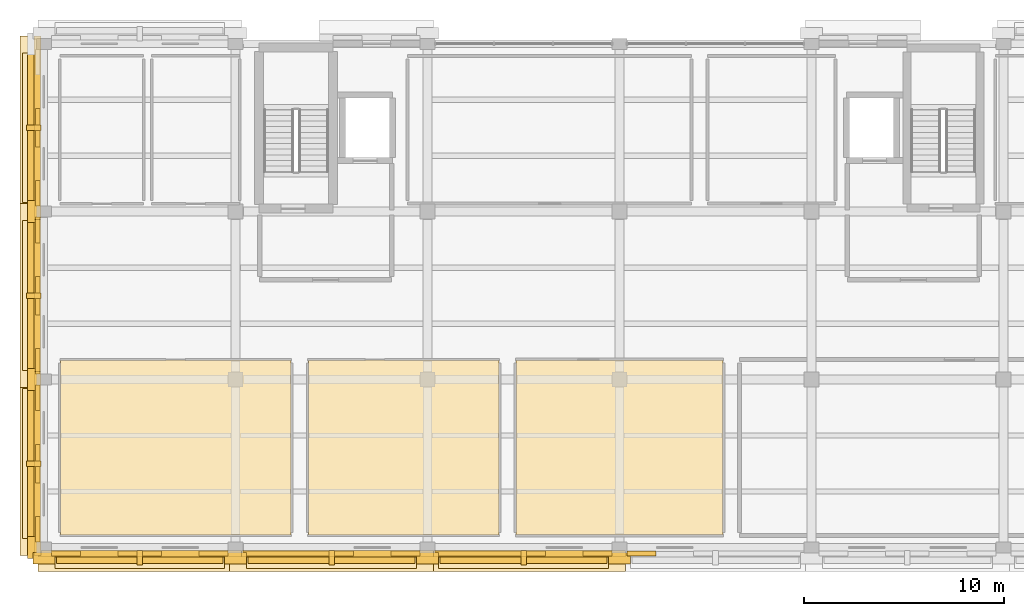
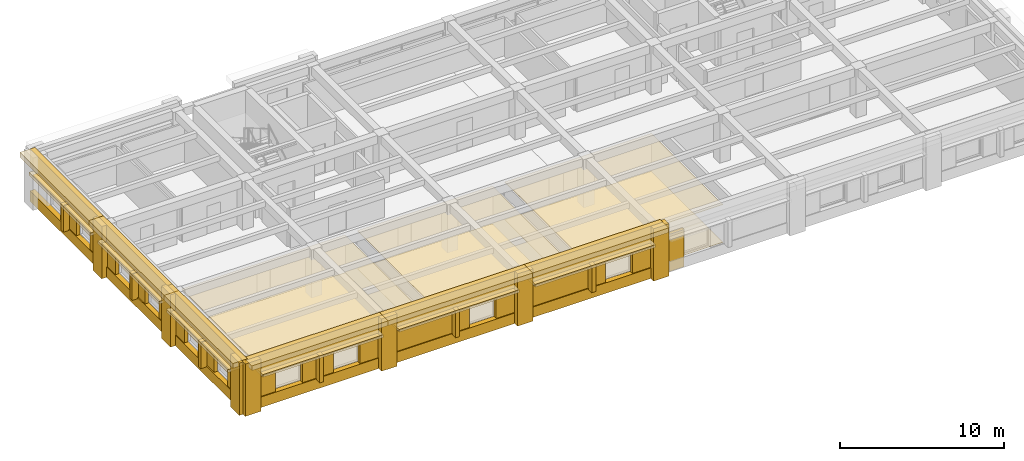
# One storey, part 9 of 12: 59 coverings, 6 shading devices.
"""IFC4 building model written with IfcOpenShell, lengths in metres."""

from ifc_helpers import new_model, si_unit, direction, frame, origin, origin_2d, place, context, subcontext, project, spatial, polyline, rectangle, outline, extrude, material, layer, layer_set, type_object, element, save


model = new_model("IFC4")

# Units and contexts
model_context = context("Model", 3, precision=1e-05, world=origin(), true_north=direction((0.0, 1.0)))
body_context = subcontext(model_context, "Body", "Model", "MODEL_VIEW")
ifc_project = project(units=[si_unit("LENGTHUNIT", "METRE"), si_unit("AREAUNIT", "SQUARE_METRE"), si_unit("VOLUMEUNIT", "CUBIC_METRE"), si_unit("PLANEANGLEUNIT", "RADIAN"), si_unit("MASSUNIT", "GRAM", prefix="KILO")], contexts=[model_context])

# Site, building, storey
site_placement = place(None, origin())
site = spatial("IfcSite", under=ifc_project, at=site_placement, CompositionType="ELEMENT")
building_placement = place(site_placement, origin())
building = spatial("IfcBuilding", under=site, at=building_placement, Name="Bempovik Park Faculty of Sciences", CompositionType="ELEMENT")
storey_placement = place(building_placement, frame((0.0, 0.0, 34.5)))
storey = spatial("IfcBuildingStorey", under=building, at=storey_placement, Name="L08", CompositionType="ELEMENT", Elevation=34.5)

# Coverings
ifc_material_1 = material(Name="Acoustic mineral ceiling tile")
ifc_layer_1 = layer(ifc_material_1, 0.0400390625)
ifc_layer_set_1 = layer_set([ifc_layer_1], Name="Acoustic mineral ceiling tile")
covering_type_1 = type_object("IfcCoveringType", Name="CE-01 Acoustic Ceiling 40mm", PredefinedType="CEILING", material=ifc_layer_set_1)
covering_1_placement = place(storey_placement, frame((0.0, 0.0, 2.81005859375)))
element("IfcCovering", 1, at=covering_1_placement, inside=storey, type_object=covering_type_1, Name="L08 Geophysics Academic Staff Offices West Acoustic Ceiling", PredefinedType="CEILING", context=body_context, shape_type="SweptSolid", body=[
    extrude(outline(polyline([(60.830078125, 94.830078125), (72.3701171875, 94.830078125), (72.3701171875, 103.570068359375), (60.830078125, 103.570068359375), (60.830078125, 94.830078125)])), origin(), (0.0, 0.0, 1.0), 0.0400390625),
])
covering_2_placement = place(storey_placement, frame((0.0, 0.0, 2.81005859375)))
element("IfcCovering", 2, at=covering_2_placement, inside=storey, type_object=covering_type_1, Name="L08 Hydrology Academic Staff Offices Acoustic Ceiling", PredefinedType="CEILING", context=body_context, shape_type="SweptSolid", body=[
    extrude(outline(polyline([(73.22998046875, 94.830078125), (82.77001953125, 94.830078125), (82.77001953125, 103.570068359375), (73.22998046875, 103.570068359375), (73.22998046875, 94.830078125)])), origin(), (0.0, 0.0, 1.0), 0.0400390625),
])
covering_3_placement = place(storey_placement, frame((0.0, 0.0, 2.81005859375)))
element("IfcCovering", 3, at=covering_3_placement, inside=storey, type_object=covering_type_1, Name="L08 West African Seismology Seminar Room Acoustic Ceiling", PredefinedType="CEILING", context=body_context, shape_type="SweptSolid", body=[
    extrude(outline(polyline([(83.6298828125, 94.830078125), (93.969970703125, 94.830078125), (93.969970703125, 103.570068359375), (83.6298828125, 103.570068359375), (83.6298828125, 94.830078125)])), origin(), (0.0, 0.0, 1.0), 0.0400390625),
])
ifc_material_2 = material(Name="Precast concrete C40/50", Category="concrete")
ifc_layer_2 = layer(ifc_material_2, 0.179931640625)
ifc_layer_set_2 = layer_set([ifc_layer_2], Name="Precast concrete C40/50")
covering_type_2 = type_object("IfcCoveringType", Name="CL-02 Classical Cornice Band 180mm", PredefinedType="CLADDING", material=ifc_layer_set_2)
covering_4_placement = place(storey_placement, frame((59.3349609375, 98.39990234375, 3.5400390625), z_axis=(0.0, 0.0, 1.0), x_axis=(1.0, 0.0, 0.0)))
element("IfcCovering", 4, at=covering_4_placement, inside=storey, type_object=covering_type_2, Name="L08 Classical Projecting Dentil Cornice EW-L08-10888", PredefinedType="CLADDING", context=body_context, shape_type="SweptSolid", body=[
    extrude(rectangle(XDim=1.050048828125, YDim=9.196044921875, at=origin_2d()), origin(), (0.0, 0.0, 1.0), 0.360107421875),
])
covering_5_placement = place(storey_placement, frame((59.39990234375, 98.39990234375, 2.66015625), z_axis=(0.0, 0.0, 1.0), x_axis=(1.0, 0.0, 0.0)))
element("IfcCovering", 5, at=covering_5_placement, inside=storey, type_object=covering_type_2, Name="L08 Classical Stone Solar Window Hood EW-L08-10888", PredefinedType="CLADDING", context=body_context, shape_type="SweptSolid", body=[
    extrude(rectangle(XDim=0.919921875, YDim=7.49609375, at=origin_2d()), origin(), (0.0, 0.0, 1.0), 0.219970703125),
])
covering_6_placement = place(storey_placement, frame((59.3349609375, 106.800048828125, 3.5400390625), z_axis=(0.0, 0.0, 1.0), x_axis=(1.0, 0.0, 0.0)))
element("IfcCovering", 6, at=covering_6_placement, inside=storey, type_object=covering_type_2, Name="L08 Classical Projecting Dentil Cornice EW-L08-10902", PredefinedType="CLADDING", context=body_context, shape_type="SweptSolid", body=[
    extrude(rectangle(XDim=1.050048828125, YDim=9.196044921875, at=origin_2d()), origin(), (0.0, 0.0, 1.0), 0.360107421875),
])
covering_7_placement = place(storey_placement, frame((59.39990234375, 106.800048828125, 2.66015625), z_axis=(0.0, 0.0, 1.0), x_axis=(1.0, 0.0, 0.0)))
element("IfcCovering", 7, at=covering_7_placement, inside=storey, type_object=covering_type_2, Name="L08 Classical Stone Solar Window Hood EW-L08-10902", PredefinedType="CLADDING", context=body_context, shape_type="SweptSolid", body=[
    extrude(rectangle(XDim=0.919921875, YDim=7.49609375, at=origin_2d()), origin(), (0.0, 0.0, 1.0), 0.219970703125),
])
covering_8_placement = place(storey_placement, frame((59.3349609375, 115.199951171875, 3.5400390625), z_axis=(0.0, 0.0, 1.0), x_axis=(1.0, 0.0, 0.0)))
element("IfcCovering", 8, at=covering_8_placement, inside=storey, type_object=covering_type_2, Name="L08 Classical Projecting Dentil Cornice EW-L08-10915", PredefinedType="CLADDING", context=body_context, shape_type="SweptSolid", body=[
    extrude(rectangle(XDim=1.050048828125, YDim=9.196044921875, at=origin_2d()), origin(), (0.0, 0.0, 1.0), 0.360107421875),
])
covering_9_placement = place(storey_placement, frame((59.39990234375, 115.199951171875, 2.66015625), z_axis=(0.0, 0.0, 1.0), x_axis=(1.0, 0.0, 0.0)))
element("IfcCovering", 9, at=covering_9_placement, inside=storey, type_object=covering_type_2, Name="L08 Classical Stone Solar Window Hood EW-L08-10915", PredefinedType="CLADDING", context=body_context, shape_type="SweptSolid", body=[
    extrude(rectangle(XDim=0.919921875, YDim=7.49609375, at=origin_2d()), origin(), (0.0, 0.0, 1.0), 0.219970703125),
])
covering_10_placement = place(storey_placement, frame((64.800048828125, 93.534912109375, 3.5400390625), z_axis=(0.0, 0.0, 1.0), x_axis=(1.0, 0.0, 0.0)))
element("IfcCovering", 10, at=covering_10_placement, inside=storey, type_object=covering_type_2, Name="L08 Classical Projecting Dentil Cornice EW-L08-10928", PredefinedType="CLADDING", context=body_context, shape_type="SweptSolid", body=[
    extrude(rectangle(XDim=10.196044921875, YDim=1.050048828125, at=origin_2d()), origin(), (0.0, 0.0, 1.0), 0.360107421875),
])
covering_11_placement = place(storey_placement, frame((64.800048828125, 93.60009765625, 2.66015625), z_axis=(0.0, 0.0, 1.0), x_axis=(1.0, 0.0, 0.0)))
element("IfcCovering", 11, at=covering_11_placement, inside=storey, type_object=covering_type_2, Name="L08 Classical Stone Solar Window Hood EW-L08-10928", PredefinedType="CLADDING", context=body_context, shape_type="SweptSolid", body=[
    extrude(rectangle(XDim=8.49609375, YDim=0.919921875, at=origin_2d()), origin(), (0.0, 0.0, 1.0), 0.219970703125),
])
covering_12_placement = place(storey_placement, frame((74.39990234375, 93.534912109375, 3.5400390625), z_axis=(0.0, 0.0, 1.0), x_axis=(1.0, 0.0, 0.0)))
element("IfcCovering", 12, at=covering_12_placement, inside=storey, type_object=covering_type_2, Name="L08 Classical Projecting Dentil Cornice EW-L08-10942", PredefinedType="CLADDING", context=body_context, shape_type="SweptSolid", body=[
    extrude(rectangle(XDim=10.196044921875, YDim=1.050048828125, at=origin_2d()), origin(), (0.0, 0.0, 1.0), 0.360107421875),
])
covering_13_placement = place(storey_placement, frame((74.39990234375, 93.60009765625, 2.66015625), z_axis=(0.0, 0.0, 1.0), x_axis=(1.0, 0.0, 0.0)))
element("IfcCovering", 13, at=covering_13_placement, inside=storey, type_object=covering_type_2, Name="L08 Classical Stone Solar Window Hood EW-L08-10942", PredefinedType="CLADDING", context=body_context, shape_type="SweptSolid", body=[
    extrude(rectangle(XDim=8.49609375, YDim=0.919921875, at=origin_2d()), origin(), (0.0, 0.0, 1.0), 0.219970703125),
])
covering_14_placement = place(storey_placement, frame((84.0, 93.534912109375, 3.5400390625), z_axis=(0.0, 0.0, 1.0), x_axis=(1.0, 0.0, 0.0)))
element("IfcCovering", 14, at=covering_14_placement, inside=storey, type_object=covering_type_2, Name="L08 Classical Projecting Dentil Cornice EW-L08-10953", PredefinedType="CLADDING", context=body_context, shape_type="SweptSolid", body=[
    extrude(rectangle(XDim=10.196044921875, YDim=1.050048828125, at=origin_2d()), origin(), (0.0, 0.0, 1.0), 0.360107421875),
])
covering_15_placement = place(storey_placement, frame((84.0, 93.60009765625, 2.66015625), z_axis=(0.0, 0.0, 1.0), x_axis=(1.0, 0.0, 0.0)))
element("IfcCovering", 15, at=covering_15_placement, inside=storey, type_object=covering_type_2, Name="L08 Classical Stone Solar Window Hood EW-L08-10953", PredefinedType="CLADDING", context=body_context, shape_type="SweptSolid", body=[
    extrude(rectangle(XDim=8.49609375, YDim=0.919921875, at=origin_2d()), origin(), (0.0, 0.0, 1.0), 0.219970703125),
])
ifc_material_3 = material(Name="White reconstituted limestone precast C40/50", Category="masonry")
ifc_layer_3 = layer(ifc_material_3, 0.239990234375)
ifc_layer_set_3 = layer_set([ifc_layer_3], Name="White reconstituted limestone precast C40/50")
covering_type_3 = type_object("IfcCoveringType", Name="CL-03 Classical Fluted Limestone Pilaster 240mm", PredefinedType="CLADDING", material=ifc_layer_set_3)
covering_16_placement = place(storey_placement, frame((59.68994140625, 98.39990234375, 2.6201171875), z_axis=(0.0, 0.0, 1.0), x_axis=(1.0, 0.0, 0.0)))
element("IfcCovering", 16, at=covering_16_placement, inside=storey, type_object=covering_type_3, Name="L08 Classical Limestone Spandrel Entablature EW-L08-10888", PredefinedType="CLADDING", context=body_context, shape_type="SweptSolid", body=[
    extrude(rectangle(XDim=0.340087890625, YDim=9.196044921875, at=origin_2d()), origin(), (0.0, 0.0, 1.0), 1.280029296875),
])
covering_17_placement = place(storey_placement, frame((59.68994140625, 98.39990234375, 0.0), z_axis=(0.0, 0.0, 1.0), x_axis=(1.0, 0.0, 0.0)))
element("IfcCovering", 17, at=covering_17_placement, inside=storey, type_object=covering_type_3, Name="L08 Classical Limestone Sill Dado EW-L08-10888", PredefinedType="CLADDING", context=body_context, shape_type="SweptSolid", body=[
    extrude(rectangle(XDim=0.340087890625, YDim=9.196044921875, at=origin_2d()), origin(), (0.0, 0.0, 1.0), 0.780029296875),
])
for number, where, z_axis, x_axis, name in (
    (18, (59.469970703125, 94.199951171875, 0.0), (0.0, 0.0, 1.0), (1.0, 0.0, 0.0), "L08 Classical Fluted Stone Pilaster PIL-BA-L08-595-942"),
    (19, (59.469970703125, 102.60009765625, 0.0), (0.0, 0.0, 1.0), (1.0, 0.0, 0.0), "L08 Classical Fluted Stone Pilaster PIL-BA-L08-595-1026"),
):
    element("IfcCovering", number, at=place(storey_placement, frame(where, z_axis=z_axis, x_axis=x_axis)), inside=storey, type_object=covering_type_3, Name=name, PredefinedType="CLADDING", context=body_context, shape_type="SweptSolid", body=[
        extrude(rectangle(XDim=0.580078125, YDim=1.10009765625, at=origin_2d()), origin(), (0.0, 0.0, 1.0), 3.89990234375),
    ])
covering_18_placement = place(storey_placement, frame((59.699951171875, 95.1162109375, 0.0), z_axis=(0.0, 0.0, 1.0), x_axis=(1.0, 0.0, 0.0)))
element("IfcCovering", 20, at=covering_18_placement, inside=storey, type_object=covering_type_3, Name="L08 White Limestone Wall Cheek EW-L08-10888-0", PredefinedType="CLADDING", context=body_context, shape_type="SweptSolid", body=[
    extrude(rectangle(XDim=0.239990234375, YDim=1.2783203125, at=origin_2d()), origin(), (0.0, 0.0, 1.0), 2.780029296875),
])
covering_19_placement = place(storey_placement, frame((59.699951171875, 98.39990234375, 0.0), z_axis=(0.0, 0.0, 1.0), x_axis=(1.0, 0.0, 0.0)))
element("IfcCovering", 21, at=covering_19_placement, inside=storey, type_object=covering_type_3, Name="L08 White Limestone Wall Cheek EW-L08-10888-2", PredefinedType="CLADDING", context=body_context, shape_type="SweptSolid", body=[
    extrude(rectangle(XDim=0.239990234375, YDim=1.92919921875, at=origin_2d()), origin(), (0.0, 0.0, 1.0), 2.780029296875),
])
covering_20_placement = place(storey_placement, frame((59.699951171875, 101.683837890625, 0.0), z_axis=(0.0, 0.0, 1.0), x_axis=(1.0, 0.0, 0.0)))
element("IfcCovering", 22, at=covering_20_placement, inside=storey, type_object=covering_type_3, Name="L08 White Limestone Wall Cheek EW-L08-10888-4", PredefinedType="CLADDING", context=body_context, shape_type="SweptSolid", body=[
    extrude(rectangle(XDim=0.239990234375, YDim=1.2783203125, at=origin_2d()), origin(), (0.0, 0.0, 1.0), 2.780029296875),
])
covering_21_placement = place(storey_placement, frame((59.489990234375, 98.39990234375, 0.699951171875), z_axis=(0.0, 0.0, 1.0), x_axis=(1.0, 0.0, 0.0)))
element("IfcCovering", 23, at=covering_21_placement, inside=storey, type_object=covering_type_3, Name="L08 Classical Vertical Stone Shading Fin EW-L08-10888", PredefinedType="CLADDING", context=body_context, shape_type="SweptSolid", body=[
    extrude(rectangle(XDim=0.719970703125, YDim=0.280029296875, at=origin_2d()), origin(), (0.0, 0.0, 1.0), 2.0),
])
covering_22_placement = place(storey_placement, frame((59.68994140625, 106.800048828125, 2.6201171875), z_axis=(0.0, 0.0, 1.0), x_axis=(1.0, 0.0, 0.0)))
element("IfcCovering", 24, at=covering_22_placement, inside=storey, type_object=covering_type_3, Name="L08 Classical Limestone Spandrel Entablature EW-L08-10902", PredefinedType="CLADDING", context=body_context, shape_type="SweptSolid", body=[
    extrude(rectangle(XDim=0.340087890625, YDim=9.196044921875, at=origin_2d()), origin(), (0.0, 0.0, 1.0), 1.280029296875),
])
covering_23_placement = place(storey_placement, frame((59.68994140625, 106.800048828125, 0.0), z_axis=(0.0, 0.0, 1.0), x_axis=(1.0, 0.0, 0.0)))
element("IfcCovering", 25, at=covering_23_placement, inside=storey, type_object=covering_type_3, Name="L08 Classical Limestone Sill Dado EW-L08-10902", PredefinedType="CLADDING", context=body_context, shape_type="SweptSolid", body=[
    extrude(rectangle(XDim=0.340087890625, YDim=9.196044921875, at=origin_2d()), origin(), (0.0, 0.0, 1.0), 0.780029296875),
])
covering_24_placement = place(storey_placement, frame((59.469970703125, 111.0, 0.0), z_axis=(0.0, 0.0, 1.0), x_axis=(1.0, 0.0, 0.0)))
element("IfcCovering", 26, at=covering_24_placement, inside=storey, type_object=covering_type_3, Name="L08 Classical Fluted Stone Pilaster PIL-BA-L08-595-1110", PredefinedType="CLADDING", context=body_context, shape_type="SweptSolid", body=[
    extrude(rectangle(XDim=0.580078125, YDim=1.10009765625, at=origin_2d()), origin(), (0.0, 0.0, 1.0), 3.89990234375),
])
covering_25_placement = place(storey_placement, frame((59.699951171875, 103.51611328125, 0.0), z_axis=(0.0, 0.0, 1.0), x_axis=(1.0, 0.0, 0.0)))
element("IfcCovering", 27, at=covering_25_placement, inside=storey, type_object=covering_type_3, Name="L08 White Limestone Wall Cheek EW-L08-10902-0", PredefinedType="CLADDING", context=body_context, shape_type="SweptSolid", body=[
    extrude(rectangle(XDim=0.239990234375, YDim=1.2783203125, at=origin_2d()), origin(), (0.0, 0.0, 1.0), 2.780029296875),
])
covering_26_placement = place(storey_placement, frame((59.699951171875, 106.800048828125, 0.0), z_axis=(0.0, 0.0, 1.0), x_axis=(1.0, 0.0, 0.0)))
element("IfcCovering", 28, at=covering_26_placement, inside=storey, type_object=covering_type_3, Name="L08 White Limestone Wall Cheek EW-L08-10902-2", PredefinedType="CLADDING", context=body_context, shape_type="SweptSolid", body=[
    extrude(rectangle(XDim=0.239990234375, YDim=1.92919921875, at=origin_2d()), origin(), (0.0, 0.0, 1.0), 2.780029296875),
])
covering_27_placement = place(storey_placement, frame((59.699951171875, 110.083740234375, 0.0), z_axis=(0.0, 0.0, 1.0), x_axis=(1.0, 0.0, 0.0)))
element("IfcCovering", 29, at=covering_27_placement, inside=storey, type_object=covering_type_3, Name="L08 White Limestone Wall Cheek EW-L08-10902-4", PredefinedType="CLADDING", context=body_context, shape_type="SweptSolid", body=[
    extrude(rectangle(XDim=0.239990234375, YDim=1.2783203125, at=origin_2d()), origin(), (0.0, 0.0, 1.0), 2.780029296875),
])
covering_28_placement = place(storey_placement, frame((59.489990234375, 106.800048828125, 0.699951171875), z_axis=(0.0, 0.0, 1.0), x_axis=(1.0, 0.0, 0.0)))
element("IfcCovering", 30, at=covering_28_placement, inside=storey, type_object=covering_type_3, Name="L08 Classical Vertical Stone Shading Fin EW-L08-10902", PredefinedType="CLADDING", context=body_context, shape_type="SweptSolid", body=[
    extrude(rectangle(XDim=0.719970703125, YDim=0.280029296875, at=origin_2d()), origin(), (0.0, 0.0, 1.0), 2.0),
])
covering_29_placement = place(storey_placement, frame((59.68994140625, 115.199951171875, 2.6201171875), z_axis=(0.0, 0.0, 1.0), x_axis=(1.0, 0.0, 0.0)))
element("IfcCovering", 31, at=covering_29_placement, inside=storey, type_object=covering_type_3, Name="L08 Classical Limestone Spandrel Entablature EW-L08-10915", PredefinedType="CLADDING", context=body_context, shape_type="SweptSolid", body=[
    extrude(rectangle(XDim=0.340087890625, YDim=9.196044921875, at=origin_2d()), origin(), (0.0, 0.0, 1.0), 1.280029296875),
])
covering_30_placement = place(storey_placement, frame((59.68994140625, 115.199951171875, 0.0), z_axis=(0.0, 0.0, 1.0), x_axis=(1.0, 0.0, 0.0)))
element("IfcCovering", 32, at=covering_30_placement, inside=storey, type_object=covering_type_3, Name="L08 Classical Limestone Sill Dado EW-L08-10915", PredefinedType="CLADDING", context=body_context, shape_type="SweptSolid", body=[
    extrude(rectangle(XDim=0.340087890625, YDim=9.196044921875, at=origin_2d()), origin(), (0.0, 0.0, 1.0), 0.780029296875),
])
covering_31_placement = place(storey_placement, frame((59.699951171875, 111.916259765625, 0.0), z_axis=(0.0, 0.0, 1.0), x_axis=(1.0, 0.0, 0.0)))
element("IfcCovering", 33, at=covering_31_placement, inside=storey, type_object=covering_type_3, Name="L08 White Limestone Wall Cheek EW-L08-10915-0", PredefinedType="CLADDING", context=body_context, shape_type="SweptSolid", body=[
    extrude(rectangle(XDim=0.239990234375, YDim=1.2783203125, at=origin_2d()), origin(), (0.0, 0.0, 1.0), 2.780029296875),
])
covering_32_placement = place(storey_placement, frame((59.699951171875, 115.199951171875, 0.0), z_axis=(0.0, 0.0, 1.0), x_axis=(1.0, 0.0, 0.0)))
element("IfcCovering", 34, at=covering_32_placement, inside=storey, type_object=covering_type_3, Name="L08 White Limestone Wall Cheek EW-L08-10915-2", PredefinedType="CLADDING", context=body_context, shape_type="SweptSolid", body=[
    extrude(rectangle(XDim=0.239990234375, YDim=1.92919921875, at=origin_2d()), origin(), (0.0, 0.0, 1.0), 2.780029296875),
])
covering_33_placement = place(storey_placement, frame((59.489990234375, 115.199951171875, 0.699951171875), z_axis=(0.0, 0.0, 1.0), x_axis=(1.0, 0.0, 0.0)))
element("IfcCovering", 35, at=covering_33_placement, inside=storey, type_object=covering_type_3, Name="L08 Classical Vertical Stone Shading Fin EW-L08-10915", PredefinedType="CLADDING", context=body_context, shape_type="SweptSolid", body=[
    extrude(rectangle(XDim=0.719970703125, YDim=0.280029296875, at=origin_2d()), origin(), (0.0, 0.0, 1.0), 2.0),
])
covering_34_placement = place(storey_placement, frame((64.800048828125, 93.889892578125, 2.6201171875), z_axis=(0.0, 0.0, 1.0), x_axis=(1.0, 0.0, 0.0)))
element("IfcCovering", 36, at=covering_34_placement, inside=storey, type_object=covering_type_3, Name="L08 Classical Limestone Spandrel Entablature EW-L08-10928", PredefinedType="CLADDING", context=body_context, shape_type="SweptSolid", body=[
    extrude(rectangle(XDim=10.196044921875, YDim=0.340087890625, at=origin_2d()), origin(), (0.0, 0.0, 1.0), 1.280029296875),
])
covering_35_placement = place(storey_placement, frame((64.800048828125, 93.889892578125, 0.0), z_axis=(0.0, 0.0, 1.0), x_axis=(1.0, 0.0, 0.0)))
element("IfcCovering", 37, at=covering_35_placement, inside=storey, type_object=covering_type_3, Name="L08 Classical Limestone Sill Dado EW-L08-10928", PredefinedType="CLADDING", context=body_context, shape_type="SweptSolid", body=[
    extrude(rectangle(XDim=10.196044921875, YDim=0.340087890625, at=origin_2d()), origin(), (0.0, 0.0, 1.0), 0.780029296875),
])
for number, where, z_axis, x_axis, name in (
    (38, (60.0, 93.669921875, 0.0), (0.0, 0.0, 1.0), (1.0, 0.0, 0.0), "L08 Classical Fluted Stone Pilaster PIL-BA-L08-600-937"),
    (39, (69.60009765625, 93.669921875, 0.0), (0.0, 0.0, 1.0), (1.0, 0.0, 0.0), "L08 Classical Fluted Stone Pilaster PIL-BA-L08-696-937"),
):
    element("IfcCovering", number, at=place(storey_placement, frame(where, z_axis=z_axis, x_axis=x_axis)), inside=storey, type_object=covering_type_3, Name=name, PredefinedType="CLADDING", context=body_context, shape_type="SweptSolid", body=[
        extrude(rectangle(XDim=1.10009765625, YDim=0.580078125, at=origin_2d()), origin(), (0.0, 0.0, 1.0), 3.89990234375),
    ])
covering_36_placement = place(storey_placement, frame((61.101318359375, 93.89990234375, 0.0), z_axis=(0.0, 0.0, 1.0), x_axis=(1.0, 0.0, 0.0)))
element("IfcCovering", 40, at=covering_36_placement, inside=storey, type_object=covering_type_3, Name="L08 White Limestone Wall Cheek EW-L08-10928-0", PredefinedType="CLADDING", context=body_context, shape_type="SweptSolid", body=[
    extrude(rectangle(XDim=1.448486328125, YDim=0.239990234375, at=origin_2d()), origin(), (0.0, 0.0, 1.0), 2.780029296875),
])
covering_37_placement = place(storey_placement, frame((64.800048828125, 93.89990234375, 0.0), z_axis=(0.0, 0.0, 1.0), x_axis=(1.0, 0.0, 0.0)))
element("IfcCovering", 41, at=covering_37_placement, inside=storey, type_object=covering_type_3, Name="L08 White Limestone Wall Cheek EW-L08-10928-2", PredefinedType="CLADDING", context=body_context, shape_type="SweptSolid", body=[
    extrude(rectangle(XDim=2.189208984375, YDim=0.239990234375, at=origin_2d()), origin(), (0.0, 0.0, 1.0), 2.780029296875),
])
covering_38_placement = place(storey_placement, frame((68.498779296875, 93.89990234375, 0.0), z_axis=(0.0, 0.0, 1.0), x_axis=(1.0, 0.0, 0.0)))
element("IfcCovering", 42, at=covering_38_placement, inside=storey, type_object=covering_type_3, Name="L08 White Limestone Wall Cheek EW-L08-10928-4", PredefinedType="CLADDING", context=body_context, shape_type="SweptSolid", body=[
    extrude(rectangle(XDim=1.448486328125, YDim=0.239990234375, at=origin_2d()), origin(), (0.0, 0.0, 1.0), 2.780029296875),
])
covering_39_placement = place(storey_placement, frame((64.800048828125, 93.68994140625, 0.699951171875), z_axis=(0.0, 0.0, 1.0), x_axis=(1.0, 0.0, 0.0)))
element("IfcCovering", 43, at=covering_39_placement, inside=storey, type_object=covering_type_3, Name="L08 Classical Vertical Stone Shading Fin EW-L08-10928", PredefinedType="CLADDING", context=body_context, shape_type="SweptSolid", body=[
    extrude(rectangle(XDim=0.280029296875, YDim=0.719970703125, at=origin_2d()), origin(), (0.0, 0.0, 1.0), 2.0),
])
covering_40_placement = place(storey_placement, frame((74.39990234375, 93.889892578125, 2.6201171875), z_axis=(0.0, 0.0, 1.0), x_axis=(1.0, 0.0, 0.0)))
element("IfcCovering", 44, at=covering_40_placement, inside=storey, type_object=covering_type_3, Name="L08 Classical Limestone Spandrel Entablature EW-L08-10942", PredefinedType="CLADDING", context=body_context, shape_type="SweptSolid", body=[
    extrude(rectangle(XDim=10.196044921875, YDim=0.340087890625, at=origin_2d()), origin(), (0.0, 0.0, 1.0), 1.280029296875),
])
covering_41_placement = place(storey_placement, frame((74.39990234375, 93.889892578125, 0.0), z_axis=(0.0, 0.0, 1.0), x_axis=(1.0, 0.0, 0.0)))
element("IfcCovering", 45, at=covering_41_placement, inside=storey, type_object=covering_type_3, Name="L08 Classical Limestone Sill Dado EW-L08-10942", PredefinedType="CLADDING", context=body_context, shape_type="SweptSolid", body=[
    extrude(rectangle(XDim=10.196044921875, YDim=0.340087890625, at=origin_2d()), origin(), (0.0, 0.0, 1.0), 0.780029296875),
])
covering_42_placement = place(storey_placement, frame((79.199951171875, 93.669921875, 0.0), z_axis=(0.0, 0.0, 1.0), x_axis=(1.0, 0.0, 0.0)))
element("IfcCovering", 46, at=covering_42_placement, inside=storey, type_object=covering_type_3, Name="L08 Classical Fluted Stone Pilaster PIL-BA-L08-792-937", PredefinedType="CLADDING", context=body_context, shape_type="SweptSolid", body=[
    extrude(rectangle(XDim=1.10009765625, YDim=0.580078125, at=origin_2d()), origin(), (0.0, 0.0, 1.0), 3.89990234375),
])
covering_43_placement = place(storey_placement, frame((72.73583984375, 93.89990234375, 0.0), z_axis=(0.0, 0.0, 1.0), x_axis=(1.0, 0.0, 0.0)))
element("IfcCovering", 47, at=covering_43_placement, inside=storey, type_object=covering_type_3, Name="L08 White Limestone Wall Cheek EW-L08-10942-0", PredefinedType="CLADDING", context=body_context, shape_type="SweptSolid", body=[
    extrude(rectangle(XDim=5.517578125, YDim=0.239990234375, at=origin_2d()), origin(), (0.0, 0.0, 1.0), 2.780029296875),
])
covering_44_placement = place(storey_placement, frame((78.098876953125, 93.89990234375, 0.0), z_axis=(0.0, 0.0, 1.0), x_axis=(1.0, 0.0, 0.0)))
element("IfcCovering", 48, at=covering_44_placement, inside=storey, type_object=covering_type_3, Name="L08 White Limestone Wall Cheek EW-L08-10942-2", PredefinedType="CLADDING", context=body_context, shape_type="SweptSolid", body=[
    extrude(rectangle(XDim=1.448486328125, YDim=0.239990234375, at=origin_2d()), origin(), (0.0, 0.0, 1.0), 2.780029296875),
])
covering_45_placement = place(storey_placement, frame((74.39990234375, 93.68994140625, 0.699951171875), z_axis=(0.0, 0.0, 1.0), x_axis=(1.0, 0.0, 0.0)))
element("IfcCovering", 49, at=covering_45_placement, inside=storey, type_object=covering_type_3, Name="L08 Classical Vertical Stone Shading Fin EW-L08-10942", PredefinedType="CLADDING", context=body_context, shape_type="SweptSolid", body=[
    extrude(rectangle(XDim=0.280029296875, YDim=0.719970703125, at=origin_2d()), origin(), (0.0, 0.0, 1.0), 2.0),
])
covering_46_placement = place(storey_placement, frame((84.0, 93.889892578125, 2.6201171875), z_axis=(0.0, 0.0, 1.0), x_axis=(1.0, 0.0, 0.0)))
element("IfcCovering", 50, at=covering_46_placement, inside=storey, type_object=covering_type_3, Name="L08 Classical Limestone Spandrel Entablature EW-L08-10953", PredefinedType="CLADDING", context=body_context, shape_type="SweptSolid", body=[
    extrude(rectangle(XDim=10.196044921875, YDim=0.340087890625, at=origin_2d()), origin(), (0.0, 0.0, 1.0), 1.280029296875),
])
covering_47_placement = place(storey_placement, frame((84.0, 93.889892578125, 0.0), z_axis=(0.0, 0.0, 1.0), x_axis=(1.0, 0.0, 0.0)))
element("IfcCovering", 51, at=covering_47_placement, inside=storey, type_object=covering_type_3, Name="L08 Classical Limestone Sill Dado EW-L08-10953", PredefinedType="CLADDING", context=body_context, shape_type="SweptSolid", body=[
    extrude(rectangle(XDim=10.196044921875, YDim=0.340087890625, at=origin_2d()), origin(), (0.0, 0.0, 1.0), 0.780029296875),
])
covering_48_placement = place(storey_placement, frame((88.800048828125, 93.669921875, 0.0), z_axis=(0.0, 0.0, 1.0), x_axis=(1.0, 0.0, 0.0)))
element("IfcCovering", 52, at=covering_48_placement, inside=storey, type_object=covering_type_3, Name="L08 Classical Fluted Stone Pilaster PIL-BA-L08-888-937", PredefinedType="CLADDING", context=body_context, shape_type="SweptSolid", body=[
    extrude(rectangle(XDim=1.10009765625, YDim=0.580078125, at=origin_2d()), origin(), (0.0, 0.0, 1.0), 3.89990234375),
])
covering_49_placement = place(storey_placement, frame((82.335693359375, 93.89990234375, 0.0), z_axis=(0.0, 0.0, 1.0), x_axis=(1.0, 0.0, 0.0)))
element("IfcCovering", 53, at=covering_49_placement, inside=storey, type_object=covering_type_3, Name="L08 White Limestone Wall Cheek EW-L08-10953-0", PredefinedType="CLADDING", context=body_context, shape_type="SweptSolid", body=[
    extrude(rectangle(XDim=5.517578125, YDim=0.239990234375, at=origin_2d()), origin(), (0.0, 0.0, 1.0), 2.780029296875),
])
covering_50_placement = place(storey_placement, frame((87.69873046875, 93.89990234375, 0.0), z_axis=(0.0, 0.0, 1.0), x_axis=(1.0, 0.0, 0.0)))
element("IfcCovering", 54, at=covering_50_placement, inside=storey, type_object=covering_type_3, Name="L08 White Limestone Wall Cheek EW-L08-10953-2", PredefinedType="CLADDING", context=body_context, shape_type="SweptSolid", body=[
    extrude(rectangle(XDim=1.448486328125, YDim=0.239990234375, at=origin_2d()), origin(), (0.0, 0.0, 1.0), 2.780029296875),
])
covering_51_placement = place(storey_placement, frame((84.0, 93.68994140625, 0.699951171875), z_axis=(0.0, 0.0, 1.0), x_axis=(1.0, 0.0, 0.0)))
element("IfcCovering", 55, at=covering_51_placement, inside=storey, type_object=covering_type_3, Name="L08 Classical Vertical Stone Shading Fin EW-L08-10953", PredefinedType="CLADDING", context=body_context, shape_type="SweptSolid", body=[
    extrude(rectangle(XDim=0.280029296875, YDim=0.719970703125, at=origin_2d()), origin(), (0.0, 0.0, 1.0), 2.0),
])
covering_52_placement = place(storey_placement, frame((89.901123046875, 93.89990234375, 0.0), z_axis=(0.0, 0.0, 1.0), x_axis=(1.0, 0.0, 0.0)))
element("IfcCovering", 56, at=covering_52_placement, inside=storey, type_object=covering_type_3, Name="L08 White Limestone Wall Cheek EW-L08-10964-0", PredefinedType="CLADDING", context=body_context, shape_type="SweptSolid", body=[
    extrude(rectangle(XDim=1.448486328125, YDim=0.239990234375, at=origin_2d()), origin(), (0.0, 0.0, 1.0), 2.780029296875),
])
ifc_material_4 = material(Name="Polished mineral terrazzo flooring")
ifc_layer_4 = layer(ifc_material_4, 0.030029296875)
ifc_layer_set_4 = layer_set([ifc_layer_4], Name="Polished mineral terrazzo flooring")
covering_type_4 = type_object("IfcCoveringType", Name="FL-01 Terrazzo Flooring 30mm", PredefinedType="FLOORING", material=ifc_layer_set_4)
covering_53_placement = place(storey_placement, origin())
element("IfcCovering", 57, at=covering_53_placement, inside=storey, type_object=covering_type_4, Name="L08 Geophysics Academic Staff Offices West Terrazzo Flooring", PredefinedType="FLOORING", context=body_context, shape_type="SweptSolid", body=[
    extrude(outline(polyline([(60.830078125, 94.830078125), (72.3701171875, 94.830078125), (72.3701171875, 103.570068359375), (60.830078125, 103.570068359375), (60.830078125, 94.830078125)])), origin(), (0.0, 0.0, 1.0), 0.030029296875),
])
covering_54_placement = place(storey_placement, origin())
element("IfcCovering", 58, at=covering_54_placement, inside=storey, type_object=covering_type_4, Name="L08 Hydrology Academic Staff Offices Terrazzo Flooring", PredefinedType="FLOORING", context=body_context, shape_type="SweptSolid", body=[
    extrude(outline(polyline([(73.22998046875, 94.830078125), (82.77001953125, 94.830078125), (82.77001953125, 103.570068359375), (73.22998046875, 103.570068359375), (73.22998046875, 94.830078125)])), origin(), (0.0, 0.0, 1.0), 0.030029296875),
])
covering_55_placement = place(storey_placement, origin())
element("IfcCovering", 59, at=covering_55_placement, inside=storey, type_object=covering_type_4, Name="L08 West African Seismology Seminar Room Terrazzo Flooring", PredefinedType="FLOORING", context=body_context, shape_type="SweptSolid", body=[
    extrude(outline(polyline([(83.6298828125, 94.830078125), (93.969970703125, 94.830078125), (93.969970703125, 103.570068359375), (83.6298828125, 103.570068359375), (83.6298828125, 94.830078125)])), origin(), (0.0, 0.0, 1.0), 0.030029296875),
])

# Shading devices
ifc_material_5 = material(Name="Anodised architectural bronze")
ifc_layer_5 = layer(ifc_material_5, 0.06005859375)
ifc_layer_set_5 = layer_set([ifc_layer_5], Name="Anodised architectural bronze")
shading_device_type = type_object("IfcShadingDeviceType", Name="SH-01 Bronze Brise-Soleil Fin", PredefinedType="USERDEFINED", material=ifc_layer_set_5)
for number, where, z_axis, x_axis, name in (
    (60, (59.52001953125, 98.39990234375, 2.599853515625), (0.0, 0.0, 1.0), (1.0, 0.0, 0.0), "L08 Equatorial Bronze Brise-Soleil EW-L08-10888"),
    (61, (59.52001953125, 106.800048828125, 2.599853515625), (0.0, 0.0, 1.0), (1.0, 0.0, 0.0), "L08 Equatorial Bronze Brise-Soleil EW-L08-10902"),
    (62, (59.52001953125, 115.199951171875, 2.599853515625), (0.0, 0.0, 1.0), (1.0, 0.0, 0.0), "L08 Equatorial Bronze Brise-Soleil EW-L08-10915"),
):
    element("IfcShadingDevice", number, at=place(storey_placement, frame(where, z_axis=z_axis, x_axis=x_axis)), inside=storey, type_object=shading_device_type, Name=name, ObjectType="BRISE SOLEIL", PredefinedType="USERDEFINED", context=body_context, shape_type="SweptSolid", body=[
        extrude(rectangle(XDim=0.64990234375, YDim=7.345947265625, at=origin_2d()), origin(), (0.0, 0.0, 1.0), 0.06005859375),
    ])
for number, where, z_axis, x_axis, name in (
    (63, (64.800048828125, 93.719970703125, 2.599853515625), (0.0, 0.0, 1.0), (1.0, 0.0, 0.0), "L08 Equatorial Bronze Brise-Soleil EW-L08-10928"),
    (64, (74.39990234375, 93.719970703125, 2.599853515625), (0.0, 0.0, 1.0), (1.0, 0.0, 0.0), "L08 Equatorial Bronze Brise-Soleil EW-L08-10942"),
    (65, (84.0, 93.719970703125, 2.599853515625), (0.0, 0.0, 1.0), (1.0, 0.0, 0.0), "L08 Equatorial Bronze Brise-Soleil EW-L08-10953"),
):
    element("IfcShadingDevice", number, at=place(storey_placement, frame(where, z_axis=z_axis, x_axis=x_axis)), inside=storey, type_object=shading_device_type, Name=name, ObjectType="BRISE SOLEIL", PredefinedType="USERDEFINED", context=body_context, shape_type="SweptSolid", body=[
        extrude(rectangle(XDim=8.345947265625, YDim=0.64990234375, at=origin_2d()), origin(), (0.0, 0.0, 1.0), 0.06005859375),
    ])

save(model, "model.ifc")
